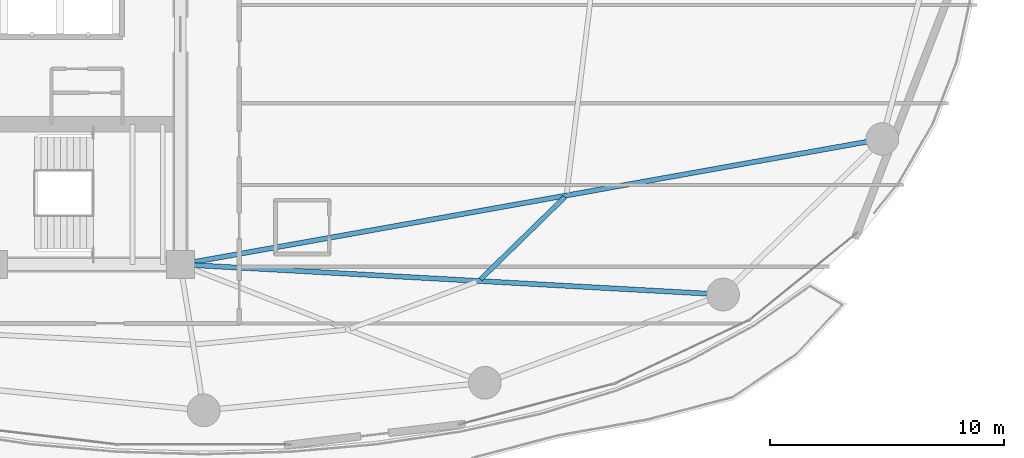
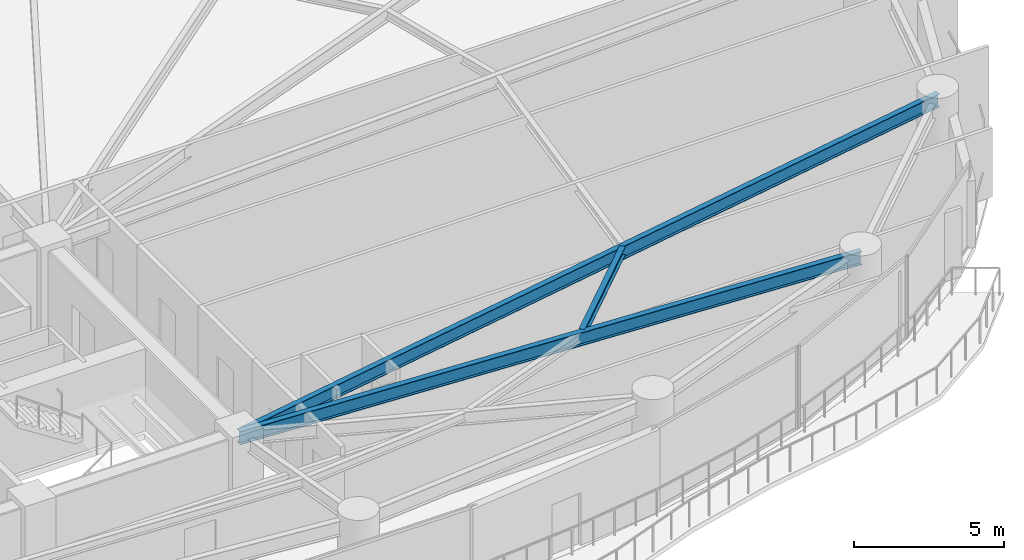
# One storey, part 13 of 32: 3 beams.
"""IFC4 building model written with IfcOpenShell, lengths in metres."""

from ifc_helpers import new_model, si_unit, direction, frame, origin, origin_2d, place, context, subcontext, project, spatial, i_section, extrude, material, material_profile, profile_set, type_object, element, save


model = new_model("IFC4")

# Units and contexts
model_context = context("Model", 3, precision=1e-05, world=origin(), true_north=direction((0.0, 1.0)))
body_context = subcontext(model_context, "Body", "Model", "MODEL_VIEW")
ifc_project = project(units=[si_unit("LENGTHUNIT", "METRE"), si_unit("AREAUNIT", "SQUARE_METRE"), si_unit("VOLUMEUNIT", "CUBIC_METRE"), si_unit("PLANEANGLEUNIT", "RADIAN"), si_unit("MASSUNIT", "GRAM", prefix="KILO")], contexts=[model_context])

# Site, building, storey
site_placement = place(None, origin())
site = spatial("IfcSite", under=ifc_project, at=site_placement, CompositionType="ELEMENT")
building_placement = place(site_placement, origin())
building = spatial("IfcBuilding", under=site, at=building_placement, Name="Kazevale Care Tower and Concert Hall", CompositionType="ELEMENT")
storey_placement = place(building_placement, frame((0.0, 0.0, 85.199951171875)))
storey = spatial("IfcBuildingStorey", under=building, at=storey_placement, Name="L22", CompositionType="ELEMENT", Elevation=85.199951171875)

# Beams
ifc_material = material(Name="Steel ASTM A572 Gr 50", Category="steel")
ifc_material_profile_1 = material_profile(ifc_material, i_section(OverallWidth=0.2119140625, OverallDepth=0.5439453125, WebThickness=0.01318359375, FlangeThickness=0.021240234375, at=origin_2d()), Name="W530x123")
ifc_profile_set_1 = profile_set([ifc_material_profile_1], Name="Steel ASTM A572 Gr 50")
beam_type_1 = type_object("IfcBeamType", Name="Radial Floor Girder W530x123", PredefinedType="BEAM", material=ifc_profile_set_1)
beam_1_placement = place(storey_placement, frame((44.0, 23.60009765625, 3.088134765625), z_axis=(0.998462901796, -0.055424125948, 0.0), x_axis=(0.055424125948, 0.998462901796, 0.0)))
element("IfcBeam", 1, at=beam_1_placement, inside=storey, type_object=beam_type_1, Name="beam:L22:rad:15", PredefinedType="BEAM", context=body_context, shape_type="SweptSolid", body=[
    extrude(i_section(OverallWidth=0.2119140625, OverallDepth=0.5439453125, WebThickness=0.01318359375, FlangeThickness=0.021240234375, at=origin_2d()), origin(), (0.0, 0.0, 1.0), 23.27587890625),
])
beam_2_placement = place(storey_placement, frame((44.0, 23.60009765625, 3.088134765625), z_axis=(0.984416208219, 0.175854283415, 0.0), x_axis=(-0.175854283415, 0.984416208219, 0.0)))
element("IfcBeam", 2, at=beam_2_placement, inside=storey, type_object=beam_type_1, Name="beam:L22:rad:16", PredefinedType="BEAM", context=body_context, shape_type="SweptSolid", body=[
    extrude(i_section(OverallWidth=0.2119140625, OverallDepth=0.5439453125, WebThickness=0.01318359375, FlangeThickness=0.021240234375, at=origin_2d()), origin(), (0.0, 0.0, 1.0), 30.535888671875),
])
ifc_material_profile_2 = material_profile(ifc_material, i_section(OverallWidth=0.205078125, OverallDepth=0.35400390625, WebThickness=0.009521484375, FlangeThickness=0.016845703125, at=origin_2d()), Name="W360x79")
ifc_profile_set_2 = profile_set([ifc_material_profile_2], Name="Steel ASTM A572 Gr 50")
beam_type_2 = type_object("IfcBeamType", Name="Secondary Floor Joist W360x79", PredefinedType="JOIST", material=ifc_profile_set_2)
beam_3_placement = place(storey_placement, frame((56.85693359375, 22.964111328125, 3.18310546875), z_axis=(0.715521089339, 0.698591132717, 0.0), x_axis=(-0.698591132717, 0.715521089339, 0.0)))
element("IfcBeam", 3, at=beam_3_placement, inside=storey, type_object=beam_type_2, Name="beam:L22:joist:15", PredefinedType="JOIST", context=body_context, shape_type="SweptSolid", body=[
    extrude(i_section(OverallWidth=0.205078125, OverallDepth=0.35400390625, WebThickness=0.009521484375, FlangeThickness=0.016845703125, at=origin_2d()), origin(), (0.0, 0.0, 1.0), 5.03271484375),
])

save(model, "model.ifc")
